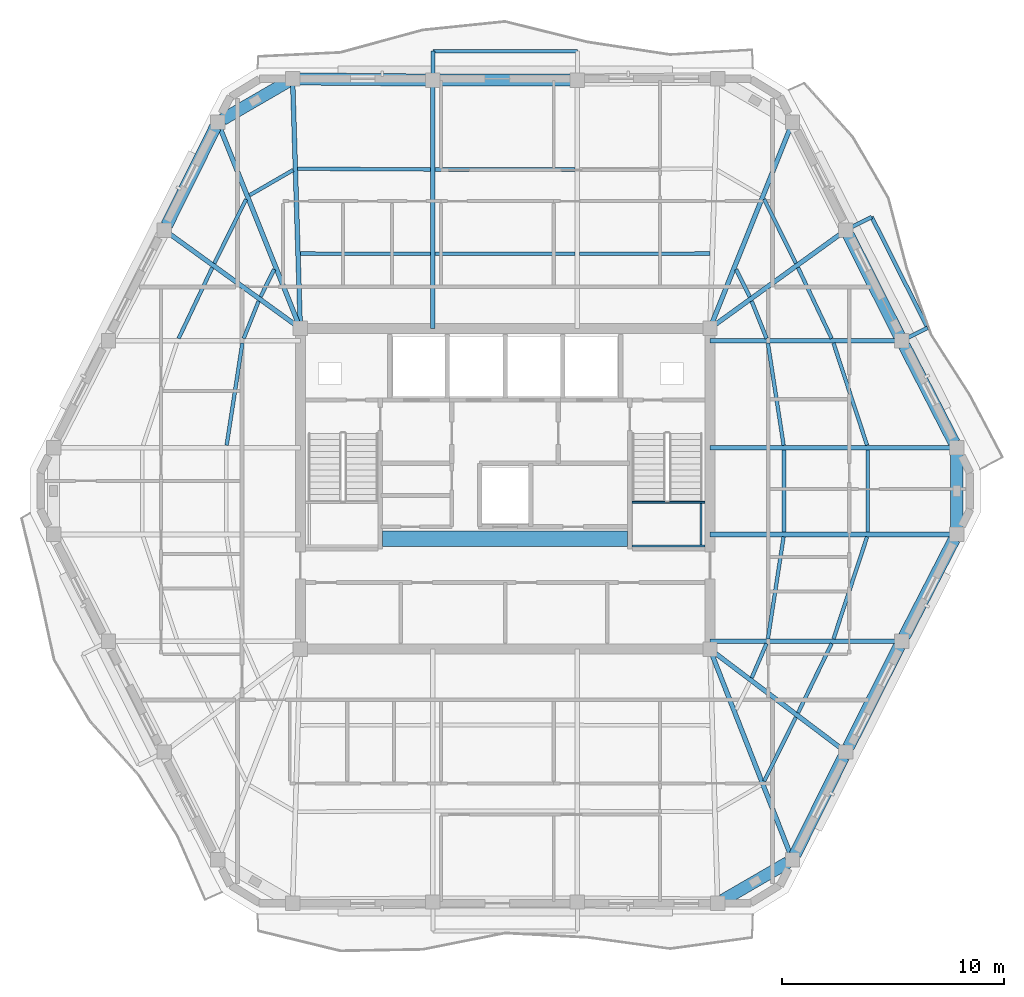
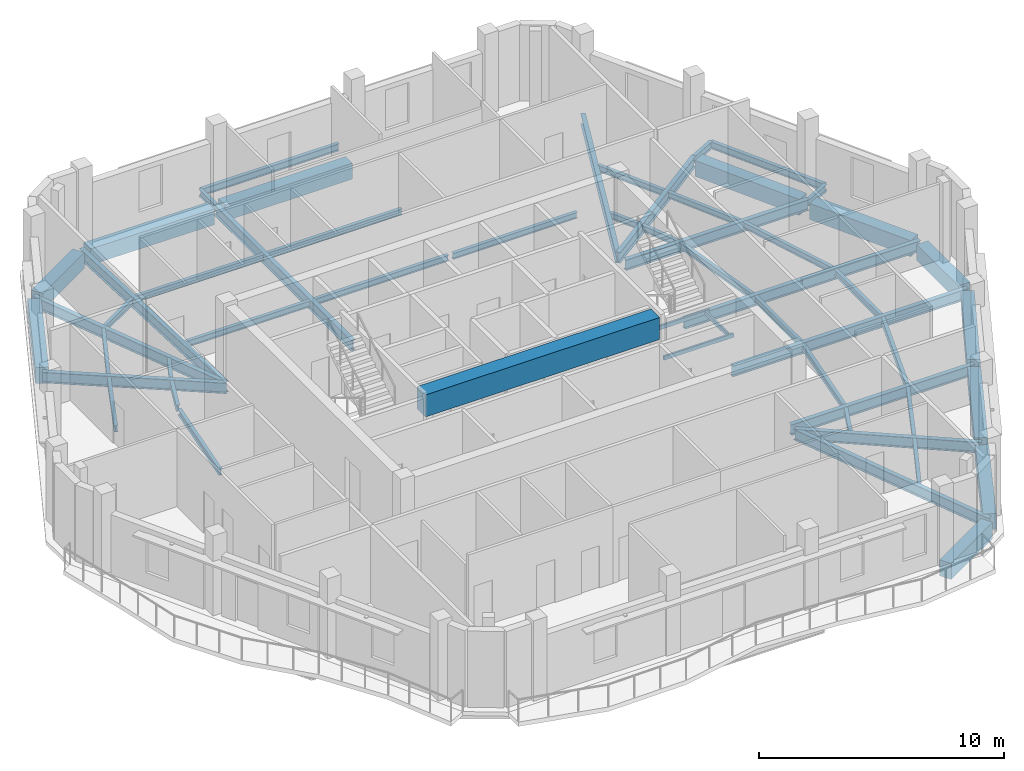
# One storey, part 2 of 11: 56 beams.
"""IFC4 building model written with IfcOpenShell, lengths in metres."""

from ifc_helpers import new_model, si_unit, direction, frame, origin, origin_2d, place, context, subcontext, project, spatial, rectangle, hollow_rectangle, i_section, extrude, material, material_profile, profile_set, type_object, element, save


model = new_model("IFC4")

# Units and contexts
model_context = context("Model", 3, precision=1e-05, world=origin(), true_north=direction((0.0, 1.0)))
body_context = subcontext(model_context, "Body", "Model", "MODEL_VIEW")
ifc_project = project(units=[si_unit("LENGTHUNIT", "METRE"), si_unit("AREAUNIT", "SQUARE_METRE"), si_unit("VOLUMEUNIT", "CUBIC_METRE"), si_unit("PLANEANGLEUNIT", "RADIAN"), si_unit("MASSUNIT", "GRAM", prefix="KILO")], contexts=[model_context])

# Site, building, storey
site_placement = place(None, origin())
site = spatial("IfcSite", under=ifc_project, at=site_placement, CompositionType="ELEMENT")
building_placement = place(site_placement, origin())
building = spatial("IfcBuilding", under=site, at=building_placement, Name="Cinnabar Lancet Tower", CompositionType="ELEMENT")
storey_placement = place(building_placement, frame((0.0, 0.0, 291.5)))
storey = spatial("IfcBuildingStorey", under=building, at=storey_placement, Name="L77", CompositionType="ELEMENT", Elevation=291.5)

# Beams
ifc_material_1 = material(Name="Concrete C70/85", Category="concrete")
ifc_material_profile_1 = material_profile(ifc_material_1, rectangle(XDim=0.699951171875, YDim=1.10009765625, at=origin_2d()), Name="RC-CB 700x1100")
ifc_profile_set_1 = profile_set([ifc_material_profile_1], Name="Concrete C70/85")
beam_type_1 = type_object("IfcBeamType", Name="STR-BM-CB-1100", PredefinedType="BEAM", material=ifc_profile_set_1)
beam_1_placement = place(storey_placement, frame((26.8798828125, 23.64990234375, 3.25), z_axis=(1.0, 0.0, 0.0), x_axis=(0.0, 1.0, 0.0)))
element("IfcBeam", 1, at=beam_1_placement, inside=storey, type_object=beam_type_1, Name="L77 Core Coupling Beam", PredefinedType="BEAM", context=body_context, shape_type="SweptSolid", body=[
    extrude(rectangle(XDim=0.699951171875, YDim=1.10009765625, at=origin_2d()), origin(), (0.0, 0.0, 1.0), 11.0400390625),
])
ifc_material_2 = material(Name="Structural steel S355", Category="steel")
ifc_material_profile_2 = material_profile(ifc_material_2, i_section(OverallWidth=0.1650390625, OverallDepth=0.303466796875, WebThickness=0.006103515625, FlangeThickness=0.01025390625, FilletRadius=0.0087890625, at=origin_2d()), Name="UKB 305x165x40")
ifc_profile_set_2 = profile_set([ifc_material_profile_2], Name="Structural steel S355")
beam_type_2 = type_object("IfcBeamType", Name="STR-BM-JST-305", PredefinedType="JOIST", material=ifc_profile_set_2)
beam_2_placement = place(storey_placement, frame((44.06591796875, 12.73193359375, -0.35205078125), z_axis=(0.444391284604, 0.895832789179, 0.0), x_axis=(-0.895832789179, 0.444391284604, 0.0)))
element("IfcBeam", 2, at=beam_2_placement, inside=storey, type_object=beam_type_2, Name="L77 Secondary Floor Joist 15", PredefinedType="JOIST", context=body_context, shape_type="SweptSolid", body=[
    extrude(i_section(OverallWidth=0.1650390625, OverallDepth=0.303466796875, WebThickness=0.006103515625, FlangeThickness=0.01025390625, FilletRadius=0.0087890625, at=origin_2d()), origin(), (0.0, 0.0, 1.0), 3.220458984375),
])
beam_3_placement = place(storey_placement, frame((45.591064453125, 15.80810546875, -0.35205078125), z_axis=(0.43610936109, 0.899893674369, 0.0), x_axis=(-0.899893674369, 0.43610936109, 0.0)))
element("IfcBeam", 3, at=beam_3_placement, inside=storey, type_object=beam_type_2, Name="L77 Secondary Floor Joist 17", PredefinedType="JOIST", context=body_context, shape_type="SweptSolid", body=[
    extrude(i_section(OverallWidth=0.1650390625, OverallDepth=0.303466796875, WebThickness=0.006103515625, FlangeThickness=0.01025390625, FilletRadius=0.0087890625, at=origin_2d()), origin(), (0.0, 0.0, 1.0), 3.467041015625),
])
beam_4_placement = place(storey_placement, frame((43.5048828125, 17.385009765625, -0.35205078125), z_axis=(0.396302440144, 0.91812002262, 0.0), x_axis=(-0.91812002262, 0.396302440144, 0.0)))
element("IfcBeam", 4, at=beam_4_placement, inside=storey, type_object=beam_type_2, Name="L77 Secondary Floor Joist 18", PredefinedType="JOIST", context=body_context, shape_type="SweptSolid", body=[
    extrude(i_section(OverallWidth=0.1650390625, OverallDepth=0.303466796875, WebThickness=0.006103515625, FlangeThickness=0.01025390625, FilletRadius=0.0087890625, at=origin_2d()), origin(), (0.0, 0.0, 1.0), 1.6806640625),
])
beam_5_placement = place(storey_placement, frame((47.18798828125, 19.137939453125, -0.35205078125), z_axis=(0.312491145371, 0.949920672512, 0.0), x_axis=(-0.949920672512, 0.312491145371, 0.0)))
element("IfcBeam", 5, at=beam_5_placement, inside=storey, type_object=beam_type_2, Name="L77 Secondary Floor Joist 19", PredefinedType="JOIST", context=body_context, shape_type="SweptSolid", body=[
    extrude(i_section(OverallWidth=0.1650390625, OverallDepth=0.303466796875, WebThickness=0.006103515625, FlangeThickness=0.01025390625, FilletRadius=0.0087890625, at=origin_2d()), origin(), (0.0, 0.0, 1.0), 4.8447265625),
])
beam_6_placement = place(storey_placement, frame((44.23291015625, 19.137939453125, -0.35205078125), z_axis=(0.152262059154, 0.988340156698, 0.0), x_axis=(-0.988340156698, 0.152262059154, 0.0)))
element("IfcBeam", 6, at=beam_6_placement, inside=storey, type_object=beam_type_2, Name="L77 Secondary Floor Joist 20", PredefinedType="JOIST", context=body_context, shape_type="SweptSolid", body=[
    extrude(i_section(OverallWidth=0.1650390625, OverallDepth=0.303466796875, WebThickness=0.006103515625, FlangeThickness=0.01025390625, FilletRadius=0.0087890625, at=origin_2d()), origin(), (0.0, 0.0, 1.0), 4.65625),
])
for number, where, z_axis, x_axis, name in (
    (7, (48.737060546875, 23.949951171875, -0.35205078125), (0.0, 1.0, 0.0), (-1.0, 0.0, 0.0), "L77 Secondary Floor Joist 21"),
    (8, (44.958984375, 23.949951171875, -0.35205078125), (0.0, 1.0, 0.0), (-1.0, 0.0, 0.0), "L77 Secondary Floor Joist 22"),
):
    element("IfcBeam", number, at=place(storey_placement, frame(where, z_axis=z_axis, x_axis=x_axis)), inside=storey, type_object=beam_type_2, Name=name, PredefinedType="JOIST", context=body_context, shape_type="SweptSolid", body=[
        extrude(i_section(OverallWidth=0.1650390625, OverallDepth=0.303466796875, WebThickness=0.006103515625, FlangeThickness=0.01025390625, FilletRadius=0.0087890625, at=origin_2d()), origin(), (0.0, 0.0, 1.0), 3.699951171875),
    ])
beam_7_placement = place(storey_placement, frame((48.701904296875, 27.860107421875, -0.35205078125), z_axis=(-0.312506104996, 0.94991575118, 0.0), x_axis=(-0.94991575118, -0.312506104996, 0.0)))
element("IfcBeam", 9, at=beam_7_placement, inside=storey, type_object=beam_type_2, Name="L77 Secondary Floor Joist 23", PredefinedType="JOIST", context=body_context, shape_type="SweptSolid", body=[
    extrude(i_section(OverallWidth=0.1650390625, OverallDepth=0.303466796875, WebThickness=0.006103515625, FlangeThickness=0.01025390625, FilletRadius=0.0087890625, at=origin_2d()), origin(), (0.0, 0.0, 1.0), 4.844482421875),
])
beam_8_placement = place(storey_placement, frame((44.94189453125, 27.860107421875, -0.35205078125), z_axis=(-0.152269949853, 0.988338941038, 0.0), x_axis=(-0.988338941038, -0.152269949853, 0.0)))
element("IfcBeam", 10, at=beam_8_placement, inside=storey, type_object=beam_type_2, Name="L77 Secondary Floor Joist 24", PredefinedType="JOIST", context=body_context, shape_type="SweptSolid", body=[
    extrude(i_section(OverallWidth=0.1650390625, OverallDepth=0.303466796875, WebThickness=0.006103515625, FlangeThickness=0.01025390625, FilletRadius=0.0087890625, at=origin_2d()), origin(), (0.0, 0.0, 1.0), 4.656005859375),
])
beam_9_placement = place(storey_placement, frame((47.10400390625, 32.672119140625, -0.35205078125), z_axis=(-0.428647868514, 0.903471640296, 0.0), x_axis=(-0.903471640296, -0.428647868514, 0.0)))
element("IfcBeam", 11, at=beam_9_placement, inside=storey, type_object=beam_type_2, Name="L77 Secondary Floor Joist 25", PredefinedType="JOIST", context=body_context, shape_type="SweptSolid", body=[
    extrude(i_section(OverallWidth=0.1650390625, OverallDepth=0.303466796875, WebThickness=0.006103515625, FlangeThickness=0.01025390625, FilletRadius=0.0087890625, at=origin_2d()), origin(), (0.0, 0.0, 1.0), 3.53173828125),
])
beam_10_placement = place(storey_placement, frame((44.175048828125, 32.672119140625, -0.35205078125), z_axis=(-0.37155332079, 0.928411616585, 0.0), x_axis=(-0.928411616585, -0.37155332079, 0.0)))
element("IfcBeam", 12, at=beam_10_placement, inside=storey, type_object=beam_type_2, Name="L77 Secondary Floor Joist 26", PredefinedType="JOIST", context=body_context, shape_type="SweptSolid", body=[
    extrude(i_section(OverallWidth=0.1650390625, OverallDepth=0.303466796875, WebThickness=0.006103515625, FlangeThickness=0.01025390625, FilletRadius=0.0087890625, at=origin_2d()), origin(), (0.0, 0.0, 1.0), 1.8115234375),
])
beam_11_placement = place(storey_placement, frame((45.4970703125, 36.054931640625, -0.35205078125), z_axis=(-0.44427059531, 0.895892648783, 0.0), x_axis=(-0.895892648783, -0.44427059531, 0.0)))
element("IfcBeam", 13, at=beam_11_placement, inside=storey, type_object=beam_type_2, Name="L77 Secondary Floor Joist 27", PredefinedType="JOIST", context=body_context, shape_type="SweptSolid", body=[
    extrude(i_section(OverallWidth=0.1650390625, OverallDepth=0.303466796875, WebThickness=0.006103515625, FlangeThickness=0.01025390625, FilletRadius=0.0087890625, at=origin_2d()), origin(), (0.0, 0.0, 1.0), 3.221435546875),
])
beam_12_placement = place(storey_placement, frame((43.4150390625, 34.549072265625, -0.35205078125), z_axis=(-0.444661746427, 0.895698571655, 0.0), x_axis=(-0.895698571655, -0.444661746427, 0.0)))
element("IfcBeam", 14, at=beam_12_placement, inside=storey, type_object=beam_type_2, Name="L77 Secondary Floor Joist 28", PredefinedType="JOIST", context=body_context, shape_type="SweptSolid", body=[
    extrude(i_section(OverallWidth=0.1650390625, OverallDepth=0.303466796875, WebThickness=0.006103515625, FlangeThickness=0.01025390625, FilletRadius=0.0087890625, at=origin_2d()), origin(), (0.0, 0.0, 1.0), 1.378662109375),
])
beam_13_placement = place(storey_placement, frame((41.6240234375, 36.49609375, -0.35205078125), z_axis=(-0.999996226008, -0.002747356738, 0.0), x_axis=(0.002747356738, -0.999996226008, 0.0)))
element("IfcBeam", 15, at=beam_13_placement, inside=storey, type_object=beam_type_2, Name="L77 Secondary Floor Joist 31", PredefinedType="JOIST", context=body_context, shape_type="SweptSolid", body=[
    extrude(i_section(OverallWidth=0.1650390625, OverallDepth=0.303466796875, WebThickness=0.006103515625, FlangeThickness=0.01025390625, FilletRadius=0.0087890625, at=origin_2d()), origin(), (0.0, 0.0, 1.0), 5.864990234375),
])
for number, where, z_axis, x_axis, name in (
    (16, (35.549072265625, 40.281982421875, -0.35205078125), (-1.0, 0.0, 0.0), (0.0, -1.0, 0.0), "L77 Secondary Floor Joist 32"),
    (17, (35.549072265625, 36.47998046875, -0.35205078125), (-1.0, 0.0, 0.0), (0.0, -1.0, 0.0), "L77 Secondary Floor Joist 33"),
):
    element("IfcBeam", number, at=place(storey_placement, frame(where, z_axis=z_axis, x_axis=x_axis)), inside=storey, type_object=beam_type_2, Name=name, PredefinedType="JOIST", context=body_context, shape_type="SweptSolid", body=[
        extrude(i_section(OverallWidth=0.1650390625, OverallDepth=0.303466796875, WebThickness=0.006103515625, FlangeThickness=0.01025390625, FilletRadius=0.0087890625, at=origin_2d()), origin(), (0.0, 0.0, 1.0), 6.298095703125),
    ])
beam_14_placement = place(storey_placement, frame((29.041015625, 40.282958984375, -0.35205078125), z_axis=(-0.999985712428, 0.005345553266, 0.0), x_axis=(-0.005345553266, -0.999985712428, 0.0)))
element("IfcBeam", 18, at=beam_14_placement, inside=storey, type_object=beam_type_2, Name="L77 Secondary Floor Joist 34", PredefinedType="JOIST", context=body_context, shape_type="SweptSolid", body=[
    extrude(i_section(OverallWidth=0.1650390625, OverallDepth=0.303466796875, WebThickness=0.006103515625, FlangeThickness=0.01025390625, FilletRadius=0.0087890625, at=origin_2d()), origin(), (0.0, 0.0, 1.0), 5.98291015625),
])
beam_15_placement = place(storey_placement, frame((29.041015625, 36.47998046875, -0.35205078125), z_axis=(-0.999996226008, 0.002747356738, 0.0), x_axis=(-0.002747356738, -0.999996226008, 0.0)))
element("IfcBeam", 19, at=beam_15_placement, inside=storey, type_object=beam_type_2, Name="L77 Secondary Floor Joist 35", PredefinedType="JOIST", context=body_context, shape_type="SweptSolid", body=[
    extrude(i_section(OverallWidth=0.1650390625, OverallDepth=0.303466796875, WebThickness=0.006103515625, FlangeThickness=0.01025390625, FilletRadius=0.0087890625, at=origin_2d()), origin(), (0.0, 0.0, 1.0), 5.864990234375),
])
beam_16_placement = place(storey_placement, frame((22.85009765625, 40.256103515625, -0.35205078125), z_axis=(-0.865426285481, -0.501036270542, 0.0), x_axis=(0.501036270542, -0.865426285481, 0.0)))
element("IfcBeam", 20, at=beam_16_placement, inside=storey, type_object=beam_type_2, Name="L77 Secondary Floor Joist 36", PredefinedType="JOIST", context=body_context, shape_type="SweptSolid", body=[
    extrude(i_section(OverallWidth=0.1650390625, OverallDepth=0.303466796875, WebThickness=0.006103515625, FlangeThickness=0.01025390625, FilletRadius=0.0087890625, at=origin_2d()), origin(), (0.0, 0.0, 1.0), 2.267333984375),
])
beam_17_placement = place(storey_placement, frame((20.73388671875, 38.94091796875, -0.35205078125), z_axis=(-0.444209762814, -0.89592281287, 0.0), x_axis=(0.89592281287, -0.444209762814, 0.0)))
element("IfcBeam", 21, at=beam_17_placement, inside=storey, type_object=beam_type_2, Name="L77 Secondary Floor Joist 37", PredefinedType="JOIST", context=body_context, shape_type="SweptSolid", body=[
    extrude(i_section(OverallWidth=0.1650390625, OverallDepth=0.303466796875, WebThickness=0.006103515625, FlangeThickness=0.01025390625, FilletRadius=0.0087890625, at=origin_2d()), origin(), (0.0, 0.0, 1.0), 3.22119140625),
])
beam_18_placement = place(storey_placement, frame((21.998046875, 35.783935546875, -0.35205078125), z_axis=(-0.444661746427, -0.895698571655, 0.0), x_axis=(0.895698571655, -0.444661746427, 0.0)))
element("IfcBeam", 22, at=beam_18_placement, inside=storey, type_object=beam_type_2, Name="L77 Secondary Floor Joist 38", PredefinedType="JOIST", context=body_context, shape_type="SweptSolid", body=[
    extrude(i_section(OverallWidth=0.1650390625, OverallDepth=0.303466796875, WebThickness=0.006103515625, FlangeThickness=0.01025390625, FilletRadius=0.0087890625, at=origin_2d()), origin(), (0.0, 0.0, 1.0), 1.378662109375),
])
beam_19_placement = place(storey_placement, frame((19.2099609375, 35.863037109375, -0.35205078125), z_axis=(-0.428647868514, -0.903471640296, 0.0), x_axis=(0.903471640296, -0.428647868514, 0.0)))
element("IfcBeam", 23, at=beam_19_placement, inside=storey, type_object=beam_type_2, Name="L77 Secondary Floor Joist 39", PredefinedType="JOIST", context=body_context, shape_type="SweptSolid", body=[
    extrude(i_section(OverallWidth=0.1650390625, OverallDepth=0.303466796875, WebThickness=0.006103515625, FlangeThickness=0.01025390625, FilletRadius=0.0087890625, at=origin_2d()), origin(), (0.0, 0.0, 1.0), 3.53173828125),
])
beam_20_placement = place(storey_placement, frame((21.298095703125, 34.35400390625, -0.35205078125), z_axis=(-0.37155332079, -0.928411616585, 0.0), x_axis=(0.928411616585, -0.37155332079, 0.0)))
element("IfcBeam", 24, at=beam_20_placement, inside=storey, type_object=beam_type_2, Name="L77 Secondary Floor Joist 40", PredefinedType="JOIST", context=body_context, shape_type="SweptSolid", body=[
    extrude(i_section(OverallWidth=0.1650390625, OverallDepth=0.303466796875, WebThickness=0.006103515625, FlangeThickness=0.01025390625, FilletRadius=0.0087890625, at=origin_2d()), origin(), (0.0, 0.0, 1.0), 1.8115234375),
])
beam_21_placement = place(storey_placement, frame((20.56689453125, 32.4619140625, -0.35205078125), z_axis=(-0.152269949853, -0.988338941038, 0.0), x_axis=(0.988338941038, -0.152269949853, 0.0)))
element("IfcBeam", 25, at=beam_21_placement, inside=storey, type_object=beam_type_2, Name="L77 Secondary Floor Joist 42", PredefinedType="JOIST", context=body_context, shape_type="SweptSolid", body=[
    extrude(i_section(OverallWidth=0.1650390625, OverallDepth=0.303466796875, WebThickness=0.006103515625, FlangeThickness=0.01025390625, FilletRadius=0.0087890625, at=origin_2d()), origin(), (0.0, 0.0, 1.0), 4.656005859375),
])
ifc_material_3 = material(Name="Structural steel S355", Category="steel")
ifc_material_profile_3 = material_profile(ifc_material_3, hollow_rectangle(XDim=0.10009765625, YDim=0.199951171875, WallThickness=0.008056640625, InnerFilletRadius=0.00390625, OuterFilletRadius=0.011962890625, at=origin_2d()), Name="RHS 200x100x8")
ifc_profile_set_3 = profile_set([ifc_material_profile_3], Name="Structural steel S355")
beam_type_3 = type_object("IfcBeamType", Name="STR-BM-LND-203", PredefinedType="BEAM", material=ifc_profile_set_3)
for number, where, z_axis, x_axis, name in (
    (26, (38.1201171875, 23.330078125, 1.699951171875), (1.0, 0.0, 0.0), (0.0, 1.0, 0.0), "L77 ST-2-L77 Landing Support Beam S"),
    (27, (38.1201171875, 25.294921875, 1.699951171875), (1.0, 0.0, 0.0), (0.0, 1.0, 0.0), "L77 ST-2-L77 Landing Support Beam N"),
):
    element("IfcBeam", number, at=place(storey_placement, frame(where, z_axis=z_axis, x_axis=x_axis)), inside=storey, type_object=beam_type_3, Name=name, PredefinedType="BEAM", context=body_context, shape_type="SweptSolid", body=[
        extrude(hollow_rectangle(XDim=0.10009765625, YDim=0.199951171875, WallThickness=0.008056640625, InnerFilletRadius=0.00390625, OuterFilletRadius=0.011962890625, at=origin_2d()), origin(), (0.0, 0.0, 1.0), 3.27978515625),
    ])
beam_22_placement = place(storey_placement, frame((41.219970703125, 23.3798828125, 1.699951171875), z_axis=(0.0, 1.0, 0.0), x_axis=(-1.0, 0.0, 0.0)))
element("IfcBeam", 28, at=beam_22_placement, inside=storey, type_object=beam_type_3, Name="L77 ST-2-L77 Landing Side Trimmer Beam", PredefinedType="BEAM", context=body_context, shape_type="SweptSolid", body=[
    extrude(hollow_rectangle(XDim=0.10009765625, YDim=0.199951171875, WallThickness=0.008056640625, InnerFilletRadius=0.00390625, OuterFilletRadius=0.011962890625, at=origin_2d()), origin(), (0.0, 0.0, 1.0), 1.865234375),
])
ifc_material_4 = material(Name="Concrete C50/60", Category="concrete")
ifc_material_profile_4 = material_profile(ifc_material_4, rectangle(XDim=0.550048828125, YDim=0.800048828125, at=origin_2d()), Name="RC-SB 550x800")
ifc_profile_set_4 = profile_set([ifc_material_profile_4], Name="Concrete C50/60")
beam_type_4 = type_object("IfcBeamType", Name="STR-BM-RCSB-800", PredefinedType="SPANDREL", material=ifc_profile_set_4)
beam_23_placement = place(storey_placement, frame((42.18798828125, 7.364013671875, -0.60009765625), z_axis=(0.865230894194, 0.50137361292, 0.0), x_axis=(-0.50137361292, 0.865230894194, 0.0)))
element("IfcBeam", 29, at=beam_23_placement, inside=storey, type_object=beam_type_4, Name="L77 Perimeter Spandrel 4", PredefinedType="SPANDREL", context=body_context, shape_type="SweptSolid", body=[
    extrude(rectangle(XDim=0.550048828125, YDim=0.800048828125, at=origin_2d()), origin(), (0.0, 0.0, 1.0), 3.39453125),
])
beam_24_placement = place(storey_placement, frame((45.451904296875, 9.4150390625, -0.60009765625), z_axis=(0.444372599207, 0.895842058107, 0.0), x_axis=(-0.895842058107, 0.444372599207, 0.0)))
element("IfcBeam", 30, at=beam_24_placement, inside=storey, type_object=beam_type_4, Name="L77 Perimeter Spandrel 5", PredefinedType="SPANDREL", context=body_context, shape_type="SweptSolid", body=[
    extrude(rectangle(XDim=0.550048828125, YDim=0.800048828125, at=origin_2d()), origin(), (0.0, 0.0, 1.0), 4.91943359375),
])
beam_25_placement = place(storey_placement, frame((47.862060546875, 14.26904296875, -0.60009765625), z_axis=(0.450091864122, 0.892982258419, 0.0), x_axis=(-0.892982258419, 0.450091864122, 0.0)))
element("IfcBeam", 31, at=beam_25_placement, inside=storey, type_object=beam_type_4, Name="L77 Perimeter Spandrel 6", PredefinedType="SPANDREL", context=body_context, shape_type="SweptSolid", body=[
    extrude(rectangle(XDim=0.550048828125, YDim=0.800048828125, at=origin_2d()), origin(), (0.0, 0.0, 1.0), 5.085205078125),
])
beam_26_placement = place(storey_placement, frame((50.3779296875, 19.2548828125, -0.60009765625), z_axis=(0.457127852293, 0.889400993174, 0.0), x_axis=(-0.889400993174, 0.457127852293, 0.0)))
element("IfcBeam", 32, at=beam_26_placement, inside=storey, type_object=beam_type_4, Name="L77 Perimeter Spandrel 7", PredefinedType="SPANDREL", context=body_context, shape_type="SweptSolid", body=[
    extrude(rectangle(XDim=0.550048828125, YDim=0.800048828125, at=origin_2d()), origin(), (0.0, 0.0, 1.0), 4.911376953125),
])
beam_27_placement = place(storey_placement, frame((52.737060546875, 24.094970703125, -0.60009765625), z_axis=(0.0, 1.0, 0.0), x_axis=(-1.0, 0.0, 0.0)))
element("IfcBeam", 33, at=beam_27_placement, inside=storey, type_object=beam_type_4, Name="L77 Perimeter Spandrel 8", PredefinedType="SPANDREL", context=body_context, shape_type="SweptSolid", body=[
    extrude(rectangle(XDim=0.550048828125, YDim=0.800048828125, at=origin_2d()), origin(), (0.0, 0.0, 1.0), 3.409912109375),
])
beam_28_placement = place(storey_placement, frame((52.623046875, 27.97705078125, -0.60009765625), z_axis=(-0.457148063427, 0.889390604912, 0.0), x_axis=(-0.889390604912, -0.457148063427, 0.0)))
element("IfcBeam", 34, at=beam_28_placement, inside=storey, type_object=beam_type_4, Name="L77 Perimeter Spandrel 9", PredefinedType="SPANDREL", context=body_context, shape_type="SweptSolid", body=[
    extrude(rectangle(XDim=0.550048828125, YDim=0.800048828125, at=origin_2d()), origin(), (0.0, 0.0, 1.0), 4.9111328125),
])
beam_29_placement = place(storey_placement, frame((50.15087890625, 32.7900390625, -0.60009765625), z_axis=(-0.450091864122, 0.892982258419, 0.0), x_axis=(-0.892982258419, -0.450091864122, 0.0)))
element("IfcBeam", 35, at=beam_29_placement, inside=storey, type_object=beam_type_4, Name="L77 Perimeter Spandrel 10", PredefinedType="SPANDREL", context=body_context, shape_type="SweptSolid", body=[
    extrude(rectangle(XDim=0.550048828125, YDim=0.800048828125, at=origin_2d()), origin(), (0.0, 0.0, 1.0), 5.085205078125),
])
beam_30_placement = place(storey_placement, frame((35.404052734375, 44.30810546875, -0.60009765625), z_axis=(-1.0, 0.0, 0.0), x_axis=(0.0, -1.0, 0.0)))
element("IfcBeam", 36, at=beam_30_placement, inside=storey, type_object=beam_type_4, Name="L77 Perimeter Spandrel 14", PredefinedType="SPANDREL", context=body_context, shape_type="SweptSolid", body=[
    extrude(rectangle(XDim=0.550048828125, YDim=0.800048828125, at=origin_2d()), origin(), (0.0, 0.0, 1.0), 6.008056640625),
])
beam_31_placement = place(storey_placement, frame((28.89599609375, 44.31005859375, -0.60009765625), z_axis=(-0.999964785419, 0.008392134492, 0.0), x_axis=(-0.008392134492, -0.999964785419, 0.0)))
element("IfcBeam", 37, at=beam_31_placement, inside=storey, type_object=beam_type_4, Name="L77 Perimeter Spandrel 15", PredefinedType="SPANDREL", context=body_context, shape_type="SweptSolid", body=[
    extrude(rectangle(XDim=0.550048828125, YDim=0.800048828125, at=origin_2d()), origin(), (0.0, 0.0, 1.0), 5.818359375),
])
beam_32_placement = place(storey_placement, frame((22.612060546875, 44.236083984375, -0.60009765625), z_axis=(-0.865199693264, -0.501427453153, 0.0), x_axis=(0.501427453153, -0.865199693264, 0.0)))
element("IfcBeam", 38, at=beam_32_placement, inside=storey, type_object=beam_type_4, Name="L77 Perimeter Spandrel 16", PredefinedType="SPANDREL", context=body_context, shape_type="SweptSolid", body=[
    extrude(rectangle(XDim=0.550048828125, YDim=0.800048828125, at=origin_2d()), origin(), (0.0, 0.0, 1.0), 3.39453125),
])
beam_33_placement = place(storey_placement, frame((19.347900390625, 42.18505859375, -0.60009765625), z_axis=(-0.44433276947, -0.895861814107, 0.0), x_axis=(0.895861814107, -0.44433276947, 0.0)))
element("IfcBeam", 39, at=beam_33_placement, inside=storey, type_object=beam_type_4, Name="L77 Perimeter Spandrel 17", PredefinedType="SPANDREL", context=body_context, shape_type="SweptSolid", body=[
    extrude(rectangle(XDim=0.550048828125, YDim=0.800048828125, at=origin_2d()), origin(), (0.0, 0.0, 1.0), 4.919189453125),
])
ifc_material_5 = material(Name="Structural steel S355", Category="steel")
ifc_material_profile_5 = material_profile(ifc_material_5, i_section(OverallWidth=0.209228515625, OverallDepth=0.533203125, WebThickness=0.010009765625, FlangeThickness=0.015625, FilletRadius=0.0126953125, at=origin_2d()), Name="UKB 533x210x92")
ifc_profile_set_5 = profile_set([ifc_material_profile_5], Name="Structural steel S355")
beam_type_5 = type_object("IfcBeamType", Name="STR-BM-UKB533-92", PredefinedType="BEAM", material=ifc_profile_set_5)
beam_34_placement = place(storey_placement, frame((47.7490234375, 14.0458984375, -0.467041015625), z_axis=(-0.797735075719, 0.603008083667, 0.0), x_axis=(-0.603008083667, -0.797735075719, 0.0)))
element("IfcBeam", 40, at=beam_34_placement, inside=storey, type_object=beam_type_5, Name="L77 Corner Collector Girder 2", PredefinedType="BEAM", context=body_context, shape_type="SweptSolid", body=[
    extrude(i_section(OverallWidth=0.209228515625, OverallDepth=0.533203125, WebThickness=0.010009765625, FlangeThickness=0.015625, FilletRadius=0.0126953125, at=origin_2d()), origin(), (0.0, 0.0, 1.0), 7.6767578125),
])
for number, where, z_axis, x_axis, name in (
    (41, (47.7490234375, 37.553955078125, -0.467041015625), (-0.810299148474, -0.586016458797, 0.0), (0.586016458797, -0.810299148474, 0.0), "L77 Corner Collector Girder 3"),
    (42, (17.051025390625, 37.553955078125, -0.467041015625), (0.810299148474, -0.586016458797, 0.0), (0.586016458797, 0.810299148474, 0.0), "L77 Corner Collector Girder 4"),
):
    element("IfcBeam", number, at=place(storey_placement, frame(where, z_axis=z_axis, x_axis=x_axis)), inside=storey, type_object=beam_type_5, Name=name, PredefinedType="BEAM", context=body_context, shape_type="SweptSolid", body=[
        extrude(i_section(OverallWidth=0.209228515625, OverallDepth=0.533203125, WebThickness=0.010009765625, FlangeThickness=0.015625, FilletRadius=0.0126953125, at=origin_2d()), origin(), (0.0, 0.0, 1.0), 7.5576171875),
    ])
beam_35_placement = place(storey_placement, frame((45.341064453125, 9.19091796875, -0.467041015625), z_axis=(-0.364815017375, 0.931080019707, 0.0), x_axis=(-0.931080019707, -0.364815017375, 0.0)))
element("IfcBeam", 43, at=beam_35_placement, inside=storey, type_object=beam_type_5, Name="L77 Primary Floor Girder 5", PredefinedType="BEAM", context=body_context, shape_type="SweptSolid", body=[
    extrude(i_section(OverallWidth=0.209228515625, OverallDepth=0.533203125, WebThickness=0.010009765625, FlangeThickness=0.015625, FilletRadius=0.0126953125, at=origin_2d()), origin(), (0.0, 0.0, 1.0), 10.186279296875),
])
beam_36_placement = place(storey_placement, frame((50.263916015625, 19.032958984375, -0.467041015625), z_axis=(-1.0, 0.0, 0.0), x_axis=(0.0, -1.0, 0.0)))
element("IfcBeam", 44, at=beam_36_placement, inside=storey, type_object=beam_type_5, Name="L77 Primary Floor Girder 7", PredefinedType="BEAM", context=body_context, shape_type="SweptSolid", body=[
    extrude(i_section(OverallWidth=0.209228515625, OverallDepth=0.533203125, WebThickness=0.010009765625, FlangeThickness=0.015625, FilletRadius=0.0126953125, at=origin_2d()), origin(), (0.0, 0.0, 1.0), 8.638916015625),
])
for number, where, z_axis, x_axis, name in (
    (45, (52.737060546875, 23.844970703125, -0.467041015625), (-1.0, 0.0, 0.0), (0.0, -1.0, 0.0), "L77 Primary Floor Girder 8"),
    (46, (52.737060546875, 27.7548828125, -0.467041015625), (-1.0, 0.0, 0.0), (0.0, -1.0, 0.0), "L77 Primary Floor Girder 9"),
):
    element("IfcBeam", number, at=place(storey_placement, frame(where, z_axis=z_axis, x_axis=x_axis)), inside=storey, type_object=beam_type_5, Name=name, PredefinedType="BEAM", context=body_context, shape_type="SweptSolid", body=[
        extrude(i_section(OverallWidth=0.209228515625, OverallDepth=0.533203125, WebThickness=0.010009765625, FlangeThickness=0.015625, FilletRadius=0.0126953125, at=origin_2d()), origin(), (0.0, 0.0, 1.0), 11.112060546875),
    ])
beam_37_placement = place(storey_placement, frame((50.263916015625, 32.56689453125, -0.467041015625), z_axis=(-1.0, 0.0, 0.0), x_axis=(0.0, -1.0, 0.0)))
element("IfcBeam", 47, at=beam_37_placement, inside=storey, type_object=beam_type_5, Name="L77 Primary Floor Girder 10", PredefinedType="BEAM", context=body_context, shape_type="SweptSolid", body=[
    extrude(i_section(OverallWidth=0.209228515625, OverallDepth=0.533203125, WebThickness=0.010009765625, FlangeThickness=0.015625, FilletRadius=0.0126953125, at=origin_2d()), origin(), (0.0, 0.0, 1.0), 8.638916015625),
])
beam_38_placement = place(storey_placement, frame((45.341064453125, 42.408935546875, -0.467041015625), z_axis=(-0.371605341166, -0.928390796172, 0.0), x_axis=(0.928390796172, -0.371605341166, 0.0)))
element("IfcBeam", 48, at=beam_38_placement, inside=storey, type_object=beam_type_5, Name="L77 Primary Floor Girder 12", PredefinedType="BEAM", context=body_context, shape_type="SweptSolid", body=[
    extrude(i_section(OverallWidth=0.209228515625, OverallDepth=0.533203125, WebThickness=0.010009765625, FlangeThickness=0.015625, FilletRadius=0.0126953125, at=origin_2d()), origin(), (0.0, 0.0, 1.0), 10.0),
])
beam_39_placement = place(storey_placement, frame((29.14599609375, 44.30810546875, -0.467041015625), z_axis=(0.0, -1.0, 0.0), x_axis=(1.0, 0.0, 0.0)))
element("IfcBeam", 49, at=beam_39_placement, inside=storey, type_object=beam_type_5, Name="L77 Primary Floor Girder 15", PredefinedType="BEAM", context=body_context, shape_type="SweptSolid", body=[
    extrude(i_section(OverallWidth=0.209228515625, OverallDepth=0.533203125, WebThickness=0.010009765625, FlangeThickness=0.015625, FilletRadius=0.0126953125, at=origin_2d()), origin(), (0.0, 0.0, 1.0), 11.18310546875),
])
beam_40_placement = place(storey_placement, frame((22.827880859375, 44.361083984375, -0.467041015625), z_axis=(0.030882856862, -0.999523010817, 0.0), x_axis=(0.999523010817, 0.030882856862, 0.0)))
element("IfcBeam", 50, at=beam_40_placement, inside=storey, type_object=beam_type_5, Name="L77 Primary Floor Girder 16", PredefinedType="BEAM", context=body_context, shape_type="SweptSolid", body=[
    extrude(i_section(OverallWidth=0.209228515625, OverallDepth=0.533203125, WebThickness=0.010009765625, FlangeThickness=0.015625, FilletRadius=0.0126953125, at=origin_2d()), origin(), (0.0, 0.0, 1.0), 11.241455078125),
])
beam_41_placement = place(storey_placement, frame((19.458984375, 42.408935546875, -0.467041015625), z_axis=(0.371605341166, -0.928390796172, 0.0), x_axis=(0.928390796172, 0.371605341166, 0.0)))
element("IfcBeam", 51, at=beam_41_placement, inside=storey, type_object=beam_type_5, Name="L77 Primary Floor Girder 17", PredefinedType="BEAM", context=body_context, shape_type="SweptSolid", body=[
    extrude(i_section(OverallWidth=0.209228515625, OverallDepth=0.533203125, WebThickness=0.010009765625, FlangeThickness=0.015625, FilletRadius=0.0126953125, at=origin_2d()), origin(), (0.0, 0.0, 1.0), 10.0),
])
ifc_material_6 = material(Name="Structural steel S355", Category="steel")
ifc_material_profile_6 = material_profile(ifc_material_6, i_section(OverallWidth=0.17138671875, OverallDepth=0.35498046875, WebThickness=0.00732421875, FlangeThickness=0.011474609375, FilletRadius=0.01025390625, at=origin_2d()), Name="UKB 356x171x51")
ifc_profile_set_6 = profile_set([ifc_material_profile_6], Name="Structural steel S355")
beam_type_6 = type_object("IfcBeamType", Name="STR-BM-WAV-OUT", PredefinedType="BEAM", material=ifc_profile_set_6)
beam_42_placement = place(storey_placement, frame((50.263916015625, 32.56689453125, -0.39794921875), z_axis=(0.892238560088, 0.451564338597, 0.0), x_axis=(-0.451564338597, 0.892238560088, 0.0)))
element("IfcBeam", 52, at=beam_42_placement, inside=storey, type_object=beam_type_6, Name="L77 Face 3 Balcony Outlooker A", PredefinedType="BEAM", context=body_context, shape_type="SweptSolid", body=[
    extrude(i_section(OverallWidth=0.17138671875, OverallDepth=0.35498046875, WebThickness=0.00732421875, FlangeThickness=0.011474609375, FilletRadius=0.01025390625, at=origin_2d()), origin(), (0.0, 0.0, 1.0), 1.30029296875),
])
beam_43_placement = place(storey_placement, frame((47.7490234375, 37.553955078125, -0.39794921875), z_axis=(0.892200264127, 0.451639998995, 0.0), x_axis=(-0.451639998995, 0.892200264127, 0.0)))
element("IfcBeam", 53, at=beam_43_placement, inside=storey, type_object=beam_type_6, Name="L77 Face 3 Balcony Outlooker B", PredefinedType="BEAM", context=body_context, shape_type="SweptSolid", body=[
    extrude(i_section(OverallWidth=0.17138671875, OverallDepth=0.35498046875, WebThickness=0.00732421875, FlangeThickness=0.011474609375, FilletRadius=0.01025390625, at=origin_2d()), origin(), (0.0, 0.0, 1.0), 1.300048828125),
])
beam_44_placement = place(storey_placement, frame((29.14599609375, 44.30810546875, -0.39794921875), z_axis=(0.0, 1.0, 0.0), x_axis=(-1.0, 0.0, 0.0)))
element("IfcBeam", 54, at=beam_44_placement, inside=storey, type_object=beam_type_6, Name="L77 Face 4 Balcony Outlooker B", PredefinedType="BEAM", context=body_context, shape_type="SweptSolid", body=[
    extrude(i_section(OverallWidth=0.17138671875, OverallDepth=0.35498046875, WebThickness=0.00732421875, FlangeThickness=0.011474609375, FilletRadius=0.01025390625, at=origin_2d()), origin(), (0.0, 0.0, 1.0), 1.2998046875),
])
ifc_material_7 = material(Name="Structural steel S355", Category="steel")
ifc_material_profile_7 = material_profile(ifc_material_7, i_section(OverallWidth=0.17138671875, OverallDepth=0.35498046875, WebThickness=0.00732421875, FlangeThickness=0.011474609375, FilletRadius=0.01025390625, at=origin_2d()), Name="UKB 356x171x51")
ifc_profile_set_7 = profile_set([ifc_material_profile_7], Name="Structural steel S355")
beam_type_7 = type_object("IfcBeamType", Name="STR-BM-WAV-TRIM", PredefinedType="SPANDREL", material=ifc_profile_set_7)
beam_45_placement = place(storey_placement, frame((51.424072265625, 33.154052734375, -0.39794921875), z_axis=(-0.450305622338, 0.892874485295, 0.0), x_axis=(-0.892874485295, -0.450305622338, 0.0)))
element("IfcBeam", 55, at=beam_45_placement, inside=storey, type_object=beam_type_7, Name="L77 Face 3 Balcony Edge Trimmer", PredefinedType="SPANDREL", context=body_context, shape_type="SweptSolid", body=[
    extrude(i_section(OverallWidth=0.17138671875, OverallDepth=0.35498046875, WebThickness=0.00732421875, FlangeThickness=0.011474609375, FilletRadius=0.01025390625, at=origin_2d()), origin(), (0.0, 0.0, 1.0), 5.58544921875),
])
beam_46_placement = place(storey_placement, frame((35.654052734375, 45.60791015625, -0.39794921875), z_axis=(-1.0, 0.0, 0.0), x_axis=(0.0, -1.0, 0.0)))
element("IfcBeam", 56, at=beam_46_placement, inside=storey, type_object=beam_type_7, Name="L77 Face 4 Balcony Edge Trimmer", PredefinedType="SPANDREL", context=body_context, shape_type="SweptSolid", body=[
    extrude(i_section(OverallWidth=0.17138671875, OverallDepth=0.35498046875, WebThickness=0.00732421875, FlangeThickness=0.011474609375, FilletRadius=0.01025390625, at=origin_2d()), origin(), (0.0, 0.0, 1.0), 6.508056640625),
])

save(model, "model.ifc")
